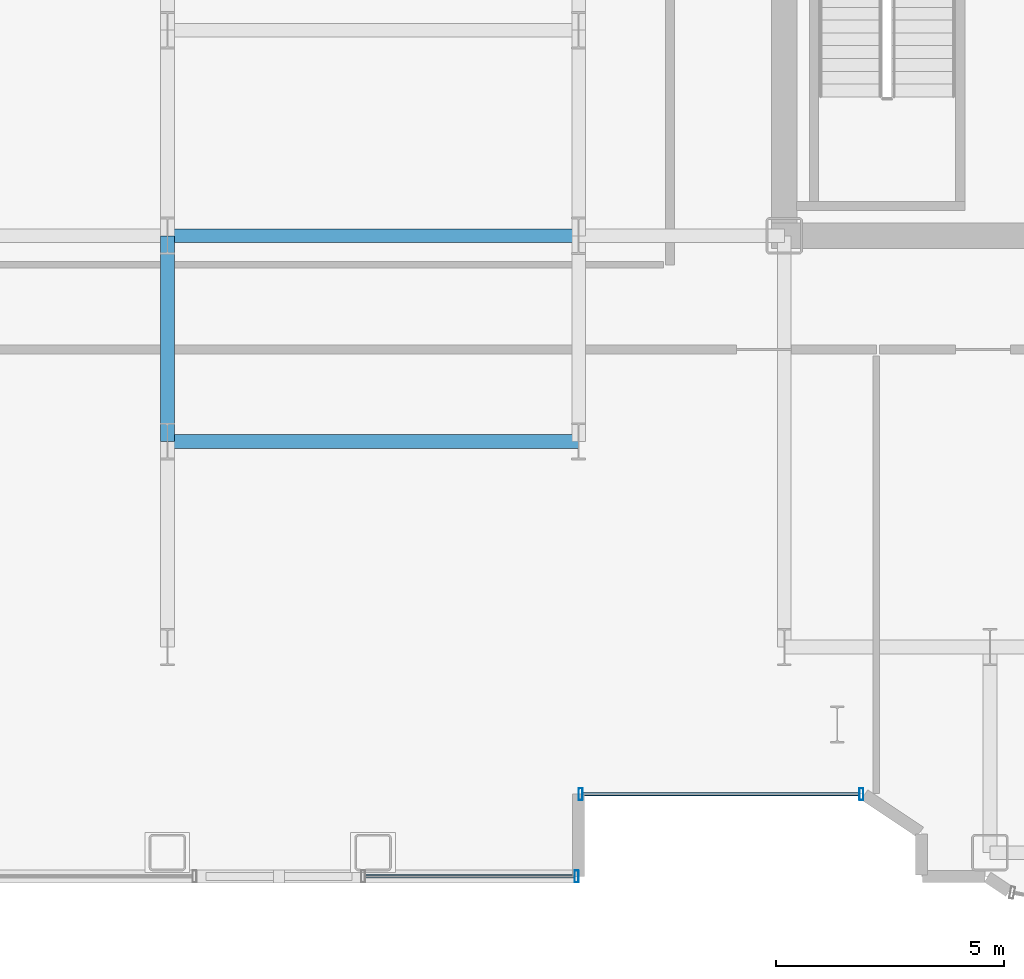
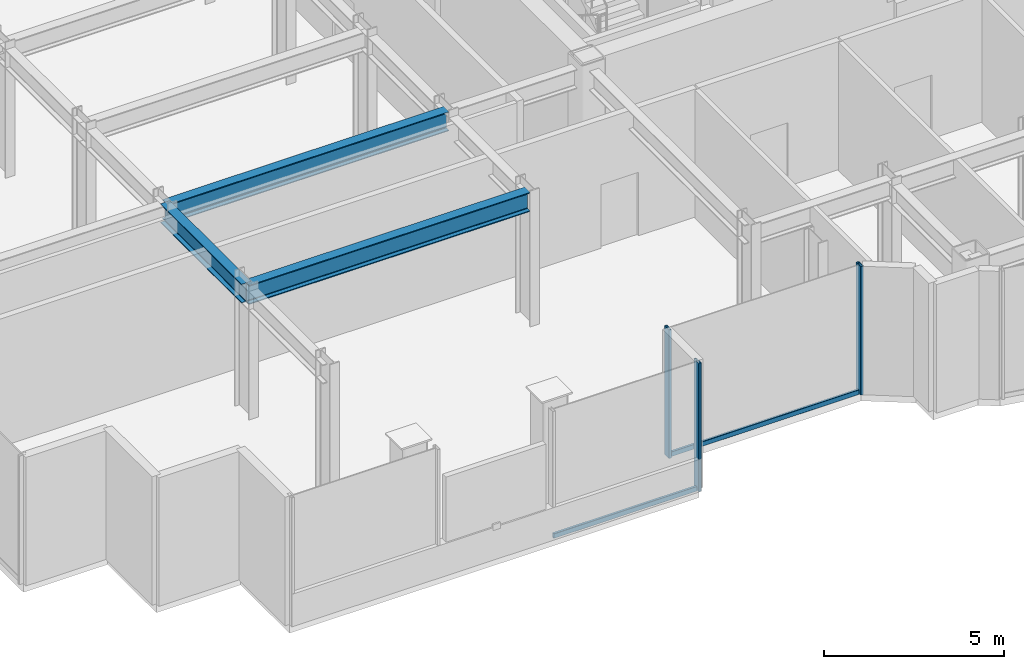
# One storey, part 4 of 26: 5 members, 3 beams, 2 elements without a shape of their own.
"""IFC4 building model written with IfcOpenShell, lengths in metres."""

import ifcopenshell
import ifcopenshell.guid

model = None  # the IFC model being written
_history = None  # IfcOwnerHistory: only IFC2X3 demands one
_inside = {}  # id of a spatial element -> (the spatial element, [elements in it])
_under = {}  # id of a project, library or spatial element -> (it, [spatial elements below it])
_declared = {}  # id of a project -> (the project, [libraries it declares])
_typed = {}  # id of a type object -> (the type object, [elements of that type])
_made_of = {}  # id of a material, layer set ... -> (it, [elements and type objects made of it])


def new_model(schema):
    """Start an empty IFC model of exactly this schema.

    Asked for "IFC4X3", IfcOpenShell would pick the latest addendum, in which some entities
    have other attributes; the version numbers below select the first issue.
    IFC2X3 requires an IfcOwnerHistory on every rooted entity: one is made here for all.
    """
    global model, _history
    if schema == "IFC4X3":
        model = ifcopenshell.file(schema_version=(4, 3, 0, 0))
    else:
        model = ifcopenshell.file(schema=schema)
    _inside.clear()
    _under.clear()
    _declared.clear()
    _typed.clear()
    _made_of.clear()
    _history = None
    if model.schema == "IFC2X3":
        org = make("IfcOrganization", Name="unknown")
        user = make(
            "IfcPersonAndOrganization",
            ThePerson=make("IfcPerson", FamilyName="unknown"),
            TheOrganization=org,
        )
        app = make(
            "IfcApplication",
            ApplicationDeveloper=org,
            Version="unknown",
            ApplicationFullName="unknown",
            ApplicationIdentifier="unknown",
        )
        _history = make(
            "IfcOwnerHistory",
            OwningUser=user,
            OwningApplication=app,
            ChangeAction="ADDED",
            CreationDate=0,
        )
    return model


def make(cls, **values):
    """One entity of the class cls with the attributes given. An attribute that is None is left unset."""
    return model.create_entity(
        cls, **{name: value for name, value in values.items() if value is not None}
    )


def rooted(cls, **values):
    """An entity with a GlobalId (a new one), such as an element, a storey or a relation."""
    return make(cls, GlobalId=ifcopenshell.guid.new(), OwnerHistory=_history, **values)


def si_unit(unit_type, name, prefix=None):
    """IfcSIUnit, for example si_unit("LENGTHUNIT", "METRE", prefix="MILLI")."""
    return make("IfcSIUnit", UnitType=unit_type, Prefix=prefix, Name=name)


def assignment(units):
    """IfcUnitAssignment: the units of a project."""
    return None if units is None else make("IfcUnitAssignment", Units=units)


def point(xyz):
    """IfcCartesianPoint."""
    return None if xyz is None else make("IfcCartesianPoint", Coordinates=xyz)


def direction(xyz):
    """IfcDirection."""
    return None if xyz is None else make("IfcDirection", DirectionRatios=xyz)


def frame(location, z_axis=None, x_axis=None):
    """IfcAxis2Placement3D, a coordinate frame: its origin and axes. An axis left out is left unset."""
    return make(
        "IfcAxis2Placement3D",
        Location=point(location),
        Axis=direction(z_axis),
        RefDirection=direction(x_axis),
    )


def frame_2d(location, x_axis=None):
    """IfcAxis2Placement2D, a coordinate frame in the plane: its origin and x axis."""
    return make(
        "IfcAxis2Placement2D", Location=point(location), RefDirection=direction(x_axis)
    )


def origin():
    """The frame at (0, 0, 0) with its axes left unset."""
    return frame((0.0, 0.0, 0.0))


def origin_2d():
    """The frame at (0, 0) in the plane with its x axis left unset."""
    return frame_2d((0.0, 0.0))


def place(relative_to, where):
    """IfcLocalPlacement: puts the frame where relative to a parent placement (None: the world)."""
    return make(
        "IfcLocalPlacement", PlacementRelTo=relative_to, RelativePlacement=where
    )


def context(
    kind, dimensions, precision=None, world=None, true_north=None, identifier=None
):
    """IfcGeometricRepresentationContext, for example the 3D "Model" context."""
    return make(
        "IfcGeometricRepresentationContext",
        ContextIdentifier=identifier,
        ContextType=kind,
        CoordinateSpaceDimension=dimensions,
        Precision=precision,
        WorldCoordinateSystem=world,
        TrueNorth=true_north,
    )


def subcontext(parent, identifier, kind, view, scale=None):
    """IfcGeometricRepresentationSubContext, for example "Body" below "Model"."""
    return make(
        "IfcGeometricRepresentationSubContext",
        ContextIdentifier=identifier,
        ContextType=kind,
        ParentContext=parent,
        TargetScale=scale,
        TargetView=view,
    )


def project(units=None, contexts=None):
    """IfcProject with its units and contexts."""
    return rooted(
        "IfcProject",
        Name="project",
        RepresentationContexts=contexts,
        UnitsInContext=assignment(units),
    )


def spatial(cls, under=None, at=None, **own):
    """A site, building, storey or space (cls), placed at a placement, below another one or the project."""
    s = rooted(cls, ObjectPlacement=at, **own)
    if under is not None:
        _under.setdefault(under.id(), (under, []))[1].append(s)
    return s


def profile(cls, at=None, kind="AREA", **sizes):
    """A parametric profile (cls). Its sizes go by their IFC names, for example OverallWidth=200.0."""
    return make(cls, ProfileType=kind, Position=at, **sizes)


def hollow_rectangle(**sizes):
    """IfcRectangleHollowProfileDef."""
    return profile("IfcRectangleHollowProfileDef", **sizes)


def i_section(**sizes):
    """IfcIShapeProfileDef."""
    return profile("IfcIShapeProfileDef", **sizes)


def extrude(swept, where, along, depth):
    """IfcExtrudedAreaSolid: the profile swept, set in the frame where, extruded along a direction by depth."""
    return make(
        "IfcExtrudedAreaSolid",
        SweptArea=swept,
        Position=where,
        ExtrudedDirection=direction(along),
        Depth=depth,
    )


def shape(context_of_items, identifier, shape_type, items):
    """IfcShapeRepresentation: the items that make up one representation, for example the "Body"."""
    return make(
        "IfcShapeRepresentation",
        ContextOfItems=context_of_items,
        RepresentationIdentifier=identifier,
        RepresentationType=shape_type,
        Items=items,
    )


def source(mapping_origin, context_of_items, identifier, shape_type, items):
    """IfcRepresentationMap: a shape defined once, which mapped items show again and again."""
    return make(
        "IfcRepresentationMap",
        MappingOrigin=mapping_origin,
        MappedRepresentation=shape(context_of_items, identifier, shape_type, items),
    )


def transform(
    local_origin,
    x_axis=None,
    y_axis=None,
    z_axis=None,
    scale=None,
    scale2=None,
    scale3=None,
    uniform=True,
):
    """IfcCartesianTransformationOperator3D, or its non-uniform kind. x_axis, y_axis, z_axis: its Axis1, 2, 3."""
    if uniform:
        return make(
            "IfcCartesianTransformationOperator3D",
            Axis1=direction(x_axis),
            Axis2=direction(y_axis),
            LocalOrigin=point(local_origin),
            Scale=scale,
            Axis3=direction(z_axis),
        )
    return make(
        "IfcCartesianTransformationOperator3DnonUniform",
        Axis1=direction(x_axis),
        Axis2=direction(y_axis),
        LocalOrigin=point(local_origin),
        Scale=scale,
        Axis3=direction(z_axis),
        Scale2=scale2,
        Scale3=scale3,
    )


def mapped(mapping_source, mapping_target):
    """IfcMappedItem: shows the shape of a source again, moved by a transform."""
    return make(
        "IfcMappedItem", MappingSource=mapping_source, MappingTarget=mapping_target
    )


def material(Name=None, Category=None):
    """IfcMaterial."""
    return make("IfcMaterial", Name=Name, Category=Category)


def layer(
    of_material, thickness, ventilated=None, Name=None, Category=None, Priority=None
):
    """IfcMaterialLayer: one layer of a wall or slab, of a material (None: an air gap)."""
    return make(
        "IfcMaterialLayer",
        Material=of_material,
        LayerThickness=thickness,
        IsVentilated=ventilated,
        Name=Name,
        Category=Category,
        Priority=Priority,
    )


def layer_set(layers, Name=None):
    """IfcMaterialLayerSet."""
    return make("IfcMaterialLayerSet", MaterialLayers=layers, LayerSetName=Name)


def material_profile(
    of_material, cross_section, Name=None, Category=None, Priority=None
):
    """IfcMaterialProfile: a cross section and its material."""
    return make(
        "IfcMaterialProfile",
        Name=Name,
        Material=of_material,
        Profile=cross_section,
        Priority=Priority,
        Category=Category,
    )


def profile_set(profiles, Name=None, composite=None):
    """IfcMaterialProfileSet."""
    return make(
        "IfcMaterialProfileSet",
        Name=Name,
        MaterialProfiles=profiles,
        CompositeProfile=composite,
    )


def made_of(thing, what):
    """Note that an element or type object is made of a material, layer set ...; save() writes the relation."""
    if what is not None:
        _made_of.setdefault(what.id(), (what, []))[1].append(thing)
    return thing


def type_object(cls, material=None, **own):
    """A type object (cls), such as IfcWallType, which elements share."""
    return made_of(rooted(cls, **own), material)


def element(
    cls,
    number,
    at=None,
    inside=None,
    cuts=None,
    type_object=None,
    material=None,
    context=None,
    identifier="Body",
    shape_type=None,
    held_by="IfcProductDefinitionShape",
    body=None,
    shapes=None,
    **own,
):
    """One element of the class cls, such as IfcWall. Its Tag is "e" and its number.

    at: its placement. inside: the storey or other place that contains it. cuts: it is an
    opening in that element (IfcRelVoidsElement). A single representation is given by context,
    identifier, shape_type and body (its items); several are given by shapes. held_by: the class
    of the entity that holds the representations. save() writes the other relations.
    """
    e = rooted(cls, Tag="e%d" % number, ObjectPlacement=at, **own)
    if body is not None:
        shapes = [shape(context, identifier, shape_type, body)]
    if shapes is not None:
        e.Representation = make(held_by, Representations=shapes)
    if inside is not None:
        _inside.setdefault(inside.id(), (inside, []))[1].append(e)
    if cuts is not None:
        rooted(
            "IfcRelVoidsElement", RelatingBuildingElement=cuts, RelatedOpeningElement=e
        )
    if type_object is not None:
        _typed.setdefault(type_object.id(), (type_object, []))[1].append(e)
    return made_of(e, material)


def aggregate(whole, parts):
    """IfcRelAggregates: a whole, such as a stair, and the parts it consists of."""
    return rooted("IfcRelAggregates", RelatingObject=whole, RelatedObjects=parts)


def save(model, path):
    """Write the relations noted so far, then the file.

    IfcRelAggregates (storeys below a building ...), IfcRelContainedInSpatialStructure (elements
    in a storey), IfcRelDefinesByType, IfcRelAssociatesMaterial and IfcRelDeclares: one each for
    every whole, place, type object, material and project.
    """
    for whole, parts in _under.values():
        aggregate(whole, parts)
    for where, things in _inside.values():
        rooted(
            "IfcRelContainedInSpatialStructure",
            RelatedElements=things,
            RelatingStructure=where,
        )
    for kind, things in _typed.values():
        rooted("IfcRelDefinesByType", RelatedObjects=things, RelatingType=kind)
    for what, things in _made_of.values():
        rooted("IfcRelAssociatesMaterial", RelatedObjects=things, RelatingMaterial=what)
    for by, libraries in _declared.values():
        rooted("IfcRelDeclares", RelatingContext=by, RelatedDefinitions=libraries)
    model.write(path)


model = new_model("IFC4")

# Units and contexts
model_context = context("Model", 3, precision=1e-05, world=origin(), true_north=direction((0.0, 1.0)))
body_context = subcontext(model_context, "Body", "Model", "MODEL_VIEW")
ifc_project = project(units=[si_unit("LENGTHUNIT", "METRE"), si_unit("AREAUNIT", "SQUARE_METRE"), si_unit("VOLUMEUNIT", "CUBIC_METRE"), si_unit("PLANEANGLEUNIT", "RADIAN"), si_unit("MASSUNIT", "GRAM", prefix="KILO")], contexts=[model_context])

# Site, building, storey
site_placement = place(None, origin())
site = spatial("IfcSite", under=ifc_project, at=site_placement, CompositionType="ELEMENT")
building_placement = place(site_placement, origin())
building = spatial("IfcBuilding", under=site, at=building_placement, Name="Nefas-Gora Pilgrimage Tower", CompositionType="ELEMENT")
storey_placement = place(building_placement, frame((0.0, 0.0, 202.0)))
storey = spatial("IfcBuildingStorey", under=building, at=storey_placement, Name="L50", CompositionType="ELEMENT", Elevation=202.0)

# Beams
ifc_material_1 = material(Name="Steel S355", Category="steel")
ifc_material_profile_1 = material_profile(ifc_material_1, i_section(OverallWidth=0.300048828125, OverallDepth=0.64990234375, WebThickness=0.01611328125, FlangeThickness=0.031005859375, FilletRadius=0.027099609375, at=origin_2d()), Name="HEB 650")
ifc_profile_set_1 = profile_set([ifc_material_profile_1], Name="Steel S355")
beam_type = type_object("IfcBeamType", Name="BM-GIR-HEB650", PredefinedType="BEAM", material=ifc_profile_set_1)
shared_shape_1 = source(origin(), body_context, "Body", "SweptSolid", [
    extrude(i_section(OverallWidth=0.300048828125, OverallDepth=0.64990234375, WebThickness=0.01611328125, FlangeThickness=0.031005859375, FilletRadius=0.027099609375, at=origin_2d()), origin(), (0.0, 0.0, 1.0), 9.0),
])
for number, where, z_axis, x_axis, name in (
    (1, (-24.75, -13.5, 4.02490234375), (1.0, 0.0, 0.0), (0.0, 1.0, 0.0), "L50 G-03 beam"),
    (2, (-24.75, -9.0, 4.02490234375), (1.0, 0.0, 0.0), (0.0, 1.0, 0.0), "L50 G-03 beam"),
):
    element("IfcBeam", number, at=place(storey_placement, frame(where, z_axis=z_axis, x_axis=x_axis)), inside=storey, type_object=beam_type, Name=name, PredefinedType="BEAM", context=body_context, shape_type="MappedRepresentation", body=[
        mapped(shared_shape_1, transform((0.0, 0.0, 0.0), x_axis=(1.0, 0.0, 0.0), y_axis=(0.0, 1.0, 0.0), z_axis=(0.0, 0.0, 1.0), scale=1.0)),
    ])
shared_shape_2 = source(origin(), body_context, "Body", "SweptSolid", [
    extrude(i_section(OverallWidth=0.300048828125, OverallDepth=0.64990234375, WebThickness=0.01611328125, FlangeThickness=0.031005859375, FilletRadius=0.027099609375, at=origin_2d()), origin(), (0.0, 0.0, 1.0), 4.5),
])
beam_placement = place(storey_placement, frame((-24.75, -13.5, 4.02490234375), z_axis=(0.0, 1.0, 0.0), x_axis=(-1.0, 0.0, 0.0)))
element("IfcBeam", 3, at=beam_placement, inside=storey, type_object=beam_type, Name="L50 G-03 beam", PredefinedType="BEAM", context=body_context, shape_type="MappedRepresentation", body=[
    mapped(shared_shape_2, transform((0.0, 0.0, 0.0), x_axis=(1.0, 0.0, 0.0), y_axis=(0.0, 1.0, 0.0), z_axis=(0.0, 0.0, 1.0), scale=1.0)),
])

# Curtain wall, members
ifc_material_2 = material(Name="Dark ceramic-fritted solar-control aluminium-glass curtain wall", Category="aluminium")
ifc_layer_1 = layer(ifc_material_2, 0.219970703125)
ifc_layer_set_1 = layer_set([ifc_layer_1], Name="Dark ceramic-fritted solar-control aluminium-glass curtain wall")
curtain_wall_type_1 = type_object("IfcCurtainWallType", Name="CW-SYS-5", PredefinedType="NOTDEFINED", material=ifc_layer_set_1)
curtain_wall_1_placement = place(storey_placement, origin())
curtain_wall_1 = element("IfcCurtainWall", 4, at=curtain_wall_1_placement, inside=storey, type_object=curtain_wall_type_1, Name="L50 Unitised Curtain Wall CW5", PredefinedType="NOTDEFINED")
ifc_material_3 = material(Name="Anodised architectural aluminium", Category="aluminium")
ifc_material_profile_2 = material_profile(ifc_material_3, hollow_rectangle(XDim=0.080078125, YDim=0.159912109375, WallThickness=0.00439453125, InnerFilletRadius=0.00439453125, OuterFilletRadius=0.009033203125, at=origin_2d()), Name="ALU TRANSOM 80x160")
ifc_profile_set_2 = profile_set([ifc_material_profile_2], Name="Anodised architectural aluminium")
member_type_1 = type_object("IfcMemberType", Name="CWM-TRN-5", PredefinedType="USERDEFINED", material=ifc_profile_set_2)
shared_shape_3 = source(origin(), body_context, "Body", "SweptSolid", [
    extrude(hollow_rectangle(XDim=0.080078125, YDim=0.159912109375, WallThickness=0.00439453125, InnerFilletRadius=0.00439453125, OuterFilletRadius=0.009033203125, at=origin_2d()), origin(), (0.0, 0.0, 1.0), 6.052001953125),
])
member_1_placement = place(storey_placement, frame((-15.659912109375, -21.219970703125, 0.050048828125), z_axis=(1.0, 0.0, 0.0), x_axis=(0.0, 1.0, 0.0)))
member_1 = element("IfcMember", 5, at=member_1_placement, type_object=member_type_1, Name="CW5 Spandrel Transom", ObjectType="TRANSOM", PredefinedType="USERDEFINED", context=body_context, shape_type="MappedRepresentation", body=[
    mapped(shared_shape_3, transform((0.0, 0.0, 0.0), x_axis=(1.0, 0.0, 0.0), y_axis=(0.0, 1.0, 0.0), z_axis=(0.0, 0.0, 1.0), scale=1.0)),
])
ifc_material_profile_3 = material_profile(ifc_material_3, hollow_rectangle(XDim=0.090087890625, YDim=0.260009765625, WallThickness=0.006103515625, InnerFilletRadius=0.006103515625, OuterFilletRadius=0.011962890625, at=origin_2d()), Name="ALU MULLION 90x260")
ifc_profile_set_3 = profile_set([ifc_material_profile_3], Name="Anodised architectural aluminium")
member_type_2 = type_object("IfcMemberType", Name="CWM-MUL-5", PredefinedType="MULLION", material=ifc_profile_set_3)
shared_shape_4 = source(origin(), body_context, "Body", "SweptSolid", [
    extrude(hollow_rectangle(XDim=0.090087890625, YDim=0.260009765625, WallThickness=0.006103515625, InnerFilletRadius=0.006103515625, OuterFilletRadius=0.011962890625, at=origin_2d()), origin(), (0.0, 0.0, 1.0), 4.35009765625),
])
member_2_placement = place(storey_placement, frame((-15.705078125, -21.219970703125, 0.0), z_axis=(0.0, 0.0, 1.0), x_axis=(1.0, 0.0, 0.0)))
member_2 = element("IfcMember", 6, at=member_2_placement, type_object=member_type_2, Name="CW5 Mullion 1", PredefinedType="MULLION", context=body_context, shape_type="MappedRepresentation", body=[
    mapped(shared_shape_4, transform((0.0, 0.0, 0.0), x_axis=(1.0, 0.0, 0.0), y_axis=(0.0, 1.0, 0.0), z_axis=(0.0, 0.0, 1.0), scale=1.0)),
])
member_3_placement = place(storey_placement, frame((-9.56298828125, -21.219970703125, 0.0), z_axis=(0.0, 0.0, 1.0), x_axis=(1.0, 0.0, 0.0)))
member_3 = element("IfcMember", 7, at=member_3_placement, type_object=member_type_2, Name="CW5 Mullion 2", PredefinedType="MULLION", context=body_context, shape_type="MappedRepresentation", body=[
    mapped(shared_shape_4, transform((0.0, 0.0, 0.0), x_axis=(1.0, 0.0, 0.0), y_axis=(0.0, 1.0, 0.0), z_axis=(0.0, 0.0, 1.0), scale=1.0)),
])
aggregate(curtain_wall_1, [member_2, member_3, member_1])

ifc_layer_2 = layer(ifc_material_2, 0.219970703125)
ifc_layer_set_2 = layer_set([ifc_layer_2], Name="Dark ceramic-fritted solar-control aluminium-glass curtain wall")
curtain_wall_type_2 = type_object("IfcCurtainWallType", Name="CW-SYS-3", PredefinedType="NOTDEFINED", material=ifc_layer_set_2)
curtain_wall_2_placement = place(storey_placement, origin())
curtain_wall_2 = element("IfcCurtainWall", 8, at=curtain_wall_2_placement, inside=storey, type_object=curtain_wall_type_2, Name="L50 Unitised Curtain Wall CW3", PredefinedType="NOTDEFINED")
ifc_material_profile_4 = material_profile(ifc_material_3, hollow_rectangle(XDim=0.090087890625, YDim=0.260009765625, WallThickness=0.006103515625, InnerFilletRadius=0.006103515625, OuterFilletRadius=0.011962890625, at=origin_2d()), Name="ALU MULLION 90x260")
ifc_profile_set_4 = profile_set([ifc_material_profile_4], Name="Anodised architectural aluminium")
member_type_3 = type_object("IfcMemberType", Name="CWM-MUL-3", PredefinedType="MULLION", material=ifc_profile_set_4)
shared_shape_5 = source(origin(), body_context, "Body", "SweptSolid", [
    extrude(hollow_rectangle(XDim=0.090087890625, YDim=0.260009765625, WallThickness=0.006103515625, InnerFilletRadius=0.006103515625, OuterFilletRadius=0.011962890625, at=origin_2d()), origin(), (0.0, 0.0, 1.0), 4.35009765625),
])
member_4_placement = place(storey_placement, frame((-15.794921875, -23.02001953125, 0.0), z_axis=(0.0, 0.0, 1.0), x_axis=(1.0, 0.0, 0.0)))
member_4 = element("IfcMember", 9, at=member_4_placement, type_object=member_type_3, Name="CW3 Mullion 2", PredefinedType="MULLION", context=body_context, shape_type="MappedRepresentation", body=[
    mapped(shared_shape_5, transform((0.0, 0.0, 0.0), x_axis=(1.0, 0.0, 0.0), y_axis=(0.0, 1.0, 0.0), z_axis=(0.0, 0.0, 1.0), scale=1.0)),
])
ifc_material_profile_5 = material_profile(ifc_material_3, hollow_rectangle(XDim=0.080078125, YDim=0.159912109375, WallThickness=0.00439453125, InnerFilletRadius=0.00439453125, OuterFilletRadius=0.009033203125, at=origin_2d()), Name="ALU TRANSOM 80x160")
ifc_profile_set_5 = profile_set([ifc_material_profile_5], Name="Anodised architectural aluminium")
member_type_4 = type_object("IfcMemberType", Name="CWM-TRN-3", PredefinedType="USERDEFINED", material=ifc_profile_set_5)
shared_shape_6 = source(origin(), body_context, "Body", "SweptSolid", [
    extrude(hollow_rectangle(XDim=0.080078125, YDim=0.159912109375, WallThickness=0.00439453125, InnerFilletRadius=0.00439453125, OuterFilletRadius=0.009033203125, at=origin_2d()), origin(), (0.0, 0.0, 1.0), 4.579833984375),
])
member_5_placement = place(storey_placement, frame((-20.419921875, -23.02001953125, 0.050048828125), z_axis=(1.0, 0.0, 0.0), x_axis=(0.0, 1.0, 0.0)))
member_5 = element("IfcMember", 10, at=member_5_placement, type_object=member_type_4, Name="CW3 Spandrel Transom", ObjectType="TRANSOM", PredefinedType="USERDEFINED", context=body_context, shape_type="MappedRepresentation", body=[
    mapped(shared_shape_6, transform((0.0, 0.0, 0.0), x_axis=(1.0, 0.0, 0.0), y_axis=(0.0, 1.0, 0.0), z_axis=(0.0, 0.0, 1.0), scale=1.0)),
])
aggregate(curtain_wall_2, [member_4, member_5])

save(model, "model.ifc")
